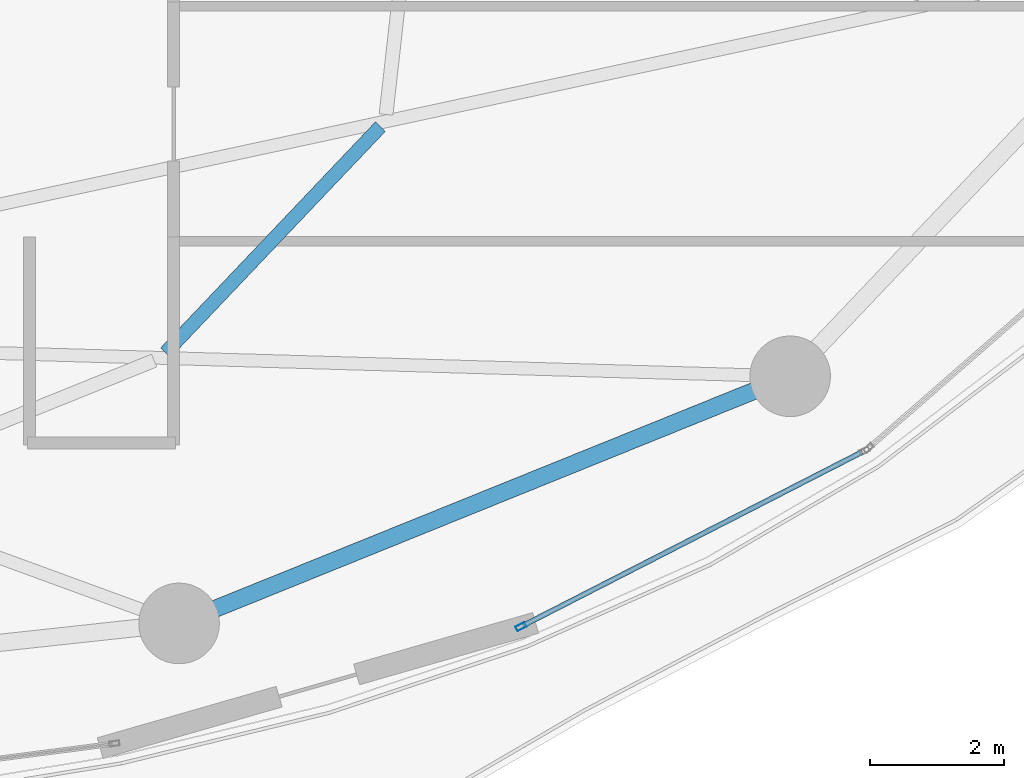
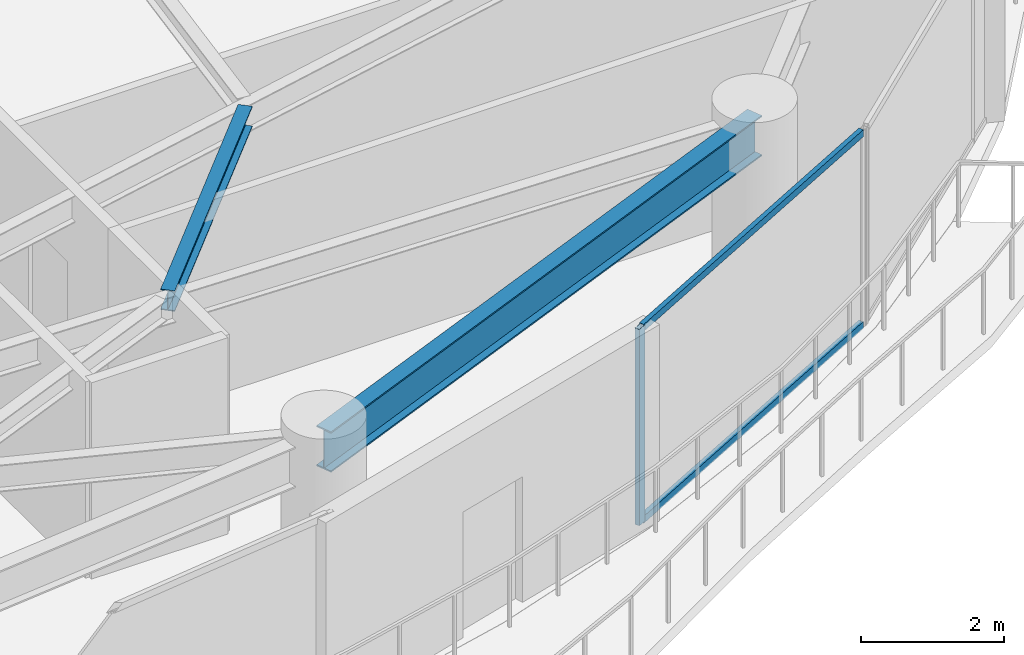
# One storey, part 11 of 28: 3 members, 2 beams, 1 element without a shape of its own.
"""IFC4 building model written with IfcOpenShell, lengths in metres."""

from ifc_helpers import new_model, si_unit, direction, frame, origin, origin_2d, place, context, subcontext, project, spatial, hollow_rectangle, i_section, extrude, material, layer, layer_set, material_profile, profile_set, type_object, element, aggregate, save


model = new_model("IFC4")

# Units and contexts
model_context = context("Model", 3, precision=1e-05, world=origin(), true_north=direction((0.0, 1.0)))
body_context = subcontext(model_context, "Body", "Model", "MODEL_VIEW")
ifc_project = project(units=[si_unit("LENGTHUNIT", "METRE"), si_unit("AREAUNIT", "SQUARE_METRE"), si_unit("VOLUMEUNIT", "CUBIC_METRE"), si_unit("PLANEANGLEUNIT", "RADIAN"), si_unit("MASSUNIT", "GRAM", prefix="KILO")], contexts=[model_context])

# Site, building, storey
site_placement = place(None, origin())
site = spatial("IfcSite", under=ifc_project, at=site_placement, CompositionType="ELEMENT")
building_placement = place(site_placement, origin())
building = spatial("IfcBuilding", under=site, at=building_placement, Name="Kazevale Care Tower and Concert Hall", CompositionType="ELEMENT")
storey_placement = place(building_placement, frame((0.0, 0.0, 106.199951171875)))
storey = spatial("IfcBuildingStorey", under=building, at=storey_placement, Name="L27", CompositionType="ELEMENT", Elevation=106.199951171875)

# Curtain wall, members
ifc_material_1 = material(Name="Aluminium 6063-T6 and Low-E Glass", Category="aluminium")
ifc_layer = layer(ifc_material_1, 0.179931640625)
ifc_layer_set = layer_set([ifc_layer], Name="Aluminium 6063-T6 and Low-E Glass")
curtain_wall_type = type_object("IfcCurtainWallType", Name="Sheltered Concave Balcony Curtain Wall CW-5", PredefinedType="NOTDEFINED", material=ifc_layer_set)
curtain_wall_placement = place(storey_placement, origin())
curtain_wall = element("IfcCurtainWall", 1, at=curtain_wall_placement, inside=storey, type_object=curtain_wall_type, Name="cw:L27:f03", PredefinedType="NOTDEFINED")
ifc_material_2 = material(Name="Aluminium 6063-T6", Category="aluminium")
ifc_material_profile_1 = material_profile(ifc_material_2, hollow_rectangle(XDim=0.074951171875, YDim=0.14990234375, WallThickness=0.00390625, at=origin_2d()), Name="ALU75x150x4")
ifc_profile_set_1 = profile_set([ifc_material_profile_1], Name="Aluminium 6063-T6")
member_type_1 = type_object("IfcMemberType", Name="CW-5 Mullion ALU75x150x4", PredefinedType="MULLION", material=ifc_profile_set_1)
member_1_placement = place(storey_placement, frame((60.822265625, 19.26220703125, 0.0), z_axis=(0.0, 0.0, 1.0), x_axis=(0.455713236575, -0.890126646051, 0.0)))
member_1 = element("IfcMember", 2, at=member_1_placement, type_object=member_type_1, Name="CW-5 mullion 2", PredefinedType="MULLION", context=body_context, shape_type="SweptSolid", body=[
    extrude(hollow_rectangle(XDim=0.074951171875, YDim=0.14990234375, WallThickness=0.00390625, at=origin_2d()), origin(), (0.0, 0.0, 1.0), 3.360107421875),
])
ifc_material_profile_2 = material_profile(ifc_material_2, hollow_rectangle(XDim=0.074951171875, YDim=0.1201171875, WallThickness=0.00390625, at=origin_2d()), Name="ALU75x120x4")
ifc_profile_set_2 = profile_set([ifc_material_profile_2], Name="Aluminium 6063-T6")
member_type_2 = type_object("IfcMemberType", Name="CW-5 Transom ALU75x120x4", PredefinedType="USERDEFINED", material=ifc_profile_set_2)
member_2_placement = place(storey_placement, frame((65.904296875, 21.86376953125, 0.03759765625), z_axis=(-0.890142600475, -0.455682072084, 0.0), x_axis=(0.455682072084, -0.890142600475, 0.0)))
member_2 = element("IfcMember", 3, at=member_2_placement, type_object=member_type_2, Name="CW-5 transom 1.1", ObjectType="TRANSOM", PredefinedType="USERDEFINED", context=body_context, shape_type="SweptSolid", body=[
    extrude(hollow_rectangle(XDim=0.074951171875, YDim=0.1201171875, WallThickness=0.00390625, at=origin_2d()), origin(), (0.0, 0.0, 1.0), 5.671630859375),
])
member_3_placement = place(storey_placement, frame((65.904296875, 21.86376953125, 3.322509765625), z_axis=(-0.890142600475, -0.455682072084, 0.0), x_axis=(0.455682072084, -0.890142600475, 0.0)))
member_3 = element("IfcMember", 4, at=member_3_placement, type_object=member_type_2, Name="CW-5 transom 1.2", ObjectType="TRANSOM", PredefinedType="USERDEFINED", context=body_context, shape_type="SweptSolid", body=[
    extrude(hollow_rectangle(XDim=0.074951171875, YDim=0.1201171875, WallThickness=0.00390625, at=origin_2d()), origin(), (0.0, 0.0, 1.0), 5.671630859375),
])
aggregate(curtain_wall, [member_1, member_2, member_3])

# Beams
ifc_material_3 = material(Name="Steel ASTM A572 Gr 50", Category="steel")
ifc_material_profile_3 = material_profile(ifc_material_3, i_section(OverallWidth=0.205078125, OverallDepth=0.35400390625, WebThickness=0.009521484375, FlangeThickness=0.016845703125, at=origin_2d()), Name="W360x79")
ifc_profile_set_3 = profile_set([ifc_material_profile_3], Name="Steel ASTM A572 Gr 50")
beam_type_1 = type_object("IfcBeamType", Name="Secondary Floor Joist W360x79", PredefinedType="JOIST", material=ifc_profile_set_3)
beam_1_placement = place(storey_placement, frame((55.529052734375, 23.341064453125, 3.18310546875), z_axis=(0.688792288395, 0.724958746032, 0.0), x_axis=(-0.724958746032, 0.688792288395, 0.0)))
element("IfcBeam", 5, at=beam_1_placement, inside=storey, type_object=beam_type_1, Name="beam:L27:joist:15", PredefinedType="JOIST", context=body_context, shape_type="SweptSolid", body=[
    extrude(i_section(OverallWidth=0.205078125, OverallDepth=0.35400390625, WebThickness=0.009521484375, FlangeThickness=0.016845703125, at=origin_2d()), origin(), (0.0, 0.0, 1.0), 4.644287109375),
])
ifc_material_profile_4 = material_profile(ifc_material_3, i_section(OverallWidth=0.256103515625, OverallDepth=0.693115234375, WebThickness=0.014404296875, FlangeThickness=0.023681640625, at=origin_2d()), Name="W690x170")
ifc_profile_set_4 = profile_set([ifc_material_profile_4], Name="Steel ASTM A572 Gr 50")
beam_type_2 = type_object("IfcBeamType", Name="Waist Ring Beam W690x170", PredefinedType="BEAM", material=ifc_profile_set_4)
beam_2_placement = place(storey_placement, frame((55.72998046875, 19.31005859375, 3.013427734375), z_axis=(0.927068687828, 0.374891515041, 0.0), x_axis=(-0.374891515041, 0.927068687828, 0.0)))
element("IfcBeam", 6, at=beam_2_placement, inside=storey, type_object=beam_type_2, Name="beam:L27:ring:14", PredefinedType="BEAM", context=body_context, shape_type="SweptSolid", body=[
    extrude(i_section(OverallWidth=0.256103515625, OverallDepth=0.693115234375, WebThickness=0.014404296875, FlangeThickness=0.023681640625, at=origin_2d()), origin(), (0.0, 0.0, 1.0), 9.81591796875),
])

save(model, "model.ifc")
